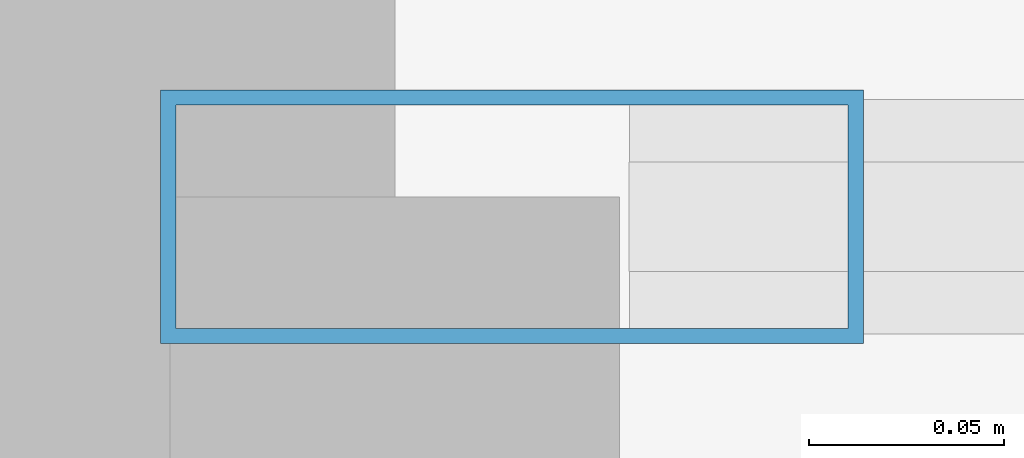
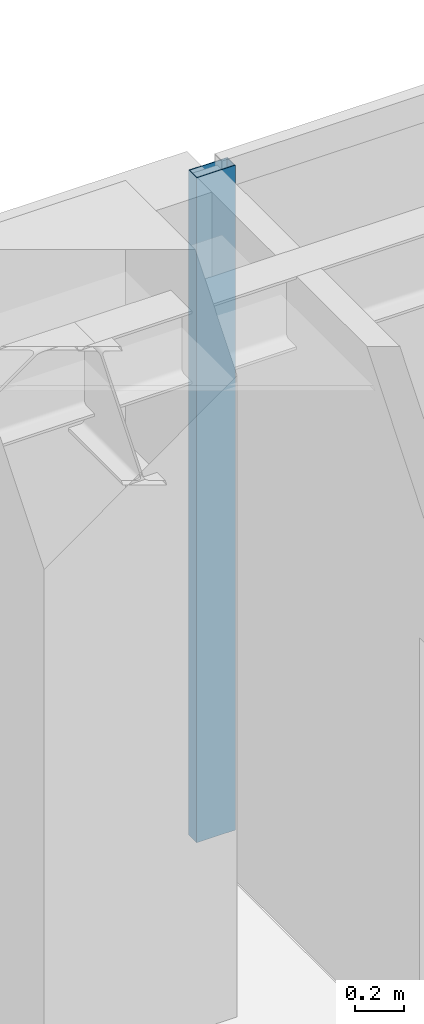
# One storey, part 14 of 25: 1 member, 1 element without a shape of its own.
"""IFC4 building model written with IfcOpenShell, lengths in metres."""

from ifc_helpers import new_model, si_unit, direction, frame, origin, origin_2d, place, context, subcontext, project, spatial, hollow_rectangle, extrude, source, transform, mapped, material, layer, layer_set, material_profile, profile_set, type_object, element, aggregate, save


model = new_model("IFC4")

# Units and contexts
model_context = context("Model", 3, precision=1e-05, world=origin(), true_north=direction((0.0, 1.0)))
body_context = subcontext(model_context, "Body", "Model", "MODEL_VIEW")
ifc_project = project(units=[si_unit("LENGTHUNIT", "METRE"), si_unit("AREAUNIT", "SQUARE_METRE"), si_unit("VOLUMEUNIT", "CUBIC_METRE"), si_unit("PLANEANGLEUNIT", "RADIAN"), si_unit("MASSUNIT", "GRAM", prefix="KILO")], contexts=[model_context])

# Site, building, storey
site_placement = place(None, origin())
site = spatial("IfcSite", under=ifc_project, at=site_placement, CompositionType="ELEMENT")
building_placement = place(site_placement, origin())
building = spatial("IfcBuilding", under=site, at=building_placement, Name="Khoralis Quay Care Tower", CompositionType="ELEMENT")
storey_placement = place(building_placement, frame((0.0, 0.0, 216.89990234375)))
storey = spatial("IfcBuildingStorey", under=building, at=storey_placement, Name="L57", CompositionType="ELEMENT", Elevation=216.89990234375)

# Curtain wall, member
ifc_material = material(Name="Pale anodised aluminium", Category="aluminium")
ifc_layer = layer(ifc_material, 0.159912109375)
ifc_layer_set = layer_set([ifc_layer], Name="Pale anodised aluminium")
curtain_wall_type = type_object("IfcCurtainWallType", Name="CW-SYS-Z3", PredefinedType="NOTDEFINED", material=ifc_layer_set)
curtain_wall_placement = place(storey_placement, origin())
curtain_wall = element("IfcCurtainWall", 1, at=curtain_wall_placement, inside=storey, type_object=curtain_wall_type, Name="L57 Unitised Curtain Wall CW-L57-P1-E10", PredefinedType="NOTDEFINED")
ifc_material_profile = material_profile(ifc_material, hollow_rectangle(XDim=0.06494140625, YDim=0.179931640625, WallThickness=0.00390625, at=origin_2d()), Name="Pale anodised aluminium")
ifc_profile_set = profile_set([ifc_material_profile], Name="Pale anodised aluminium")
member_type = type_object("IfcMemberType", Name="CW-MUL-180", PredefinedType="MULLION", material=ifc_profile_set)
shared_shape = source(origin(), body_context, "Body", "SweptSolid", [
    extrude(hollow_rectangle(XDim=0.06494140625, YDim=0.179931640625, WallThickness=0.00390625, at=origin_2d()), origin(), (0.0, 0.0, 1.0), 3.280029296875),
])
member_placement = place(storey_placement, frame((18.1259765625, 41.85009765625, 0.0), z_axis=(0.0, 0.0, 1.0), x_axis=(0.0, -1.0, 0.0)))
member = element("IfcMember", 2, at=member_placement, type_object=member_type, Name="CW3 mullion 6", PredefinedType="MULLION", context=body_context, shape_type="MappedRepresentation", body=[
    mapped(shared_shape, transform((0.0, 0.0, 0.0), scale=1.0)),
])
aggregate(curtain_wall, [member])

save(model, "model.ifc")
